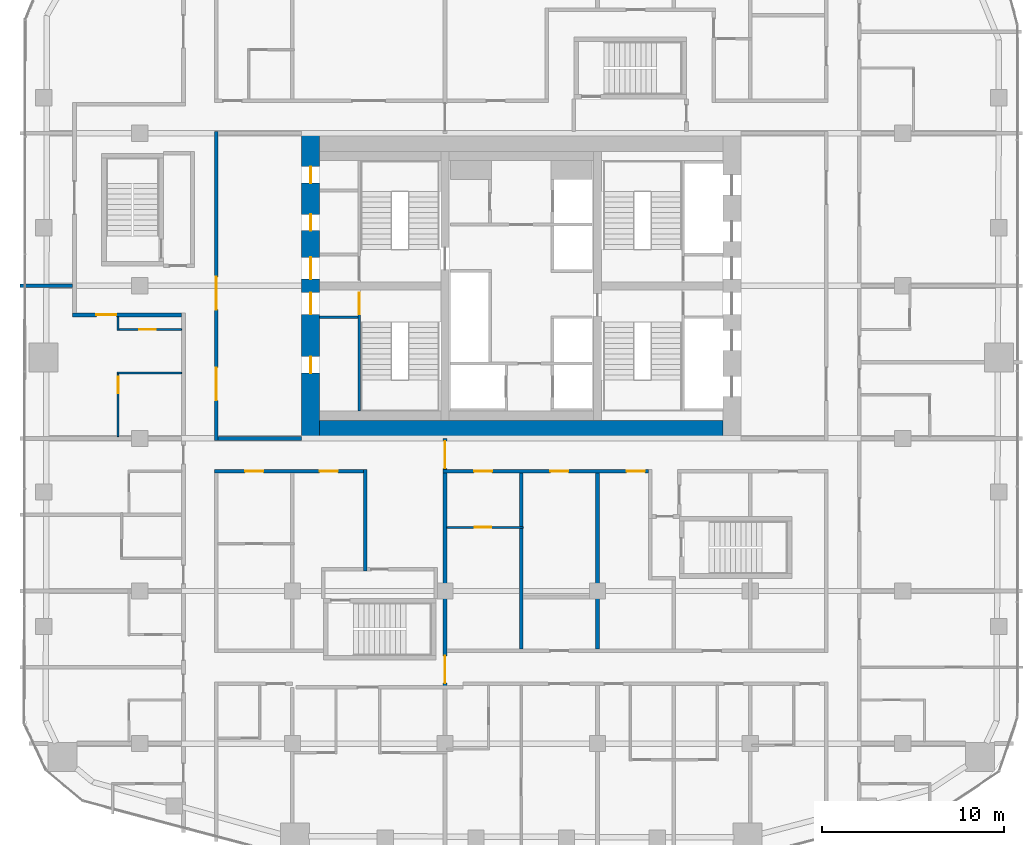
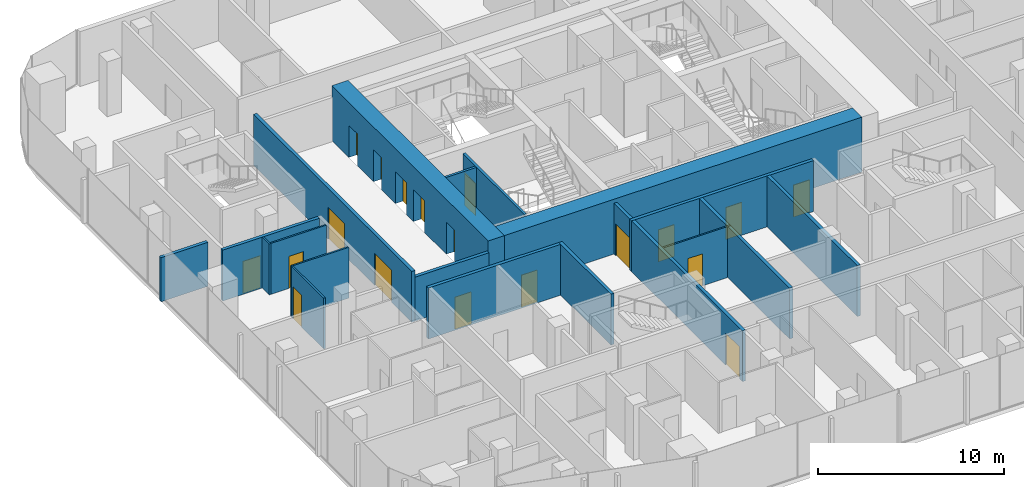
# One storey, part 15 of 23: 19 doors, 19 walls, 19 openings.
"""IFC4 building model written with IfcOpenShell, lengths in metres."""

from ifc_helpers import new_model, si_unit, direction, frame, frame_2d, origin, place, context, subcontext, project, spatial, rectangle, extrude, material, layer, layer_set, type_object, element, fill, save


model = new_model("IFC4")

# Units and contexts
model_context = context("Model", 3, precision=1e-05, world=origin(), true_north=direction((0.0, 1.0)))
body_context = subcontext(model_context, "Body", "Model", "MODEL_VIEW")
ifc_project = project(units=[si_unit("LENGTHUNIT", "METRE"), si_unit("AREAUNIT", "SQUARE_METRE"), si_unit("VOLUMEUNIT", "CUBIC_METRE"), si_unit("PLANEANGLEUNIT", "RADIAN"), si_unit("MASSUNIT", "GRAM", prefix="KILO")], contexts=[model_context])

# Site, building, storey
site_placement = place(None, origin())
site = spatial("IfcSite", under=ifc_project, at=site_placement, CompositionType="ELEMENT")
building_placement = place(site_placement, origin())
building = spatial("IfcBuilding", under=site, at=building_placement, Name="Marenta Gate Hotel Tower", CompositionType="ELEMENT")
storey_placement = place(building_placement, frame((0.0, 0.0, 148.10009765625)))
storey = spatial("IfcBuildingStorey", under=building, at=storey_placement, Name="L34", CompositionType="ELEMENT", Elevation=148.10009765625)

# Wall, openings, doors
ifc_material_1 = material(Name="Concrete blockwork", Category="masonry")
ifc_layer_1 = layer(ifc_material_1, 0.199951171875)
ifc_layer_set_1 = layer_set([ifc_layer_1], Name="Concrete blockwork")
wall_type_1 = type_object("IfcWallType", Name="Compartment wall 200 REI 180", PredefinedType="PARTITIONING", material=ifc_layer_set_1)
wall_1_placement = place(storey_placement, frame((-4.199951171875, -13.800048828125, 0.0), z_axis=(0.0, 0.0, 1.0), x_axis=(0.0, 1.0, 0.0)))
wall_1 = element("IfcWall", 1, at=wall_1_placement, inside=storey, type_object=wall_type_1, Name="L34-PTN-W075", PredefinedType="PARTITIONING", context=body_context, shape_type="SweptSolid", body=[
    extrude(rectangle(XDim=13.800048828125, YDim=0.199951171875, at=frame_2d((6.89990234375, 0.0))), origin(), (0.0, 0.0, 1.0), 3.33984375),
])
opening_1_placement = place(wall_1_placement, frame((12.14990234375, 0.0, 0.0)))
opening_1 = element("IfcOpeningElement", 2, at=opening_1_placement, cuts=wall_1, Name="Opening G13-FD2", PredefinedType="OPENING", context=body_context, shape_type="SweptSolid", body=[
    extrude(rectangle(XDim=1.5, YDim=2.10009765625, at=frame_2d((0.75, 1.050048828125))), frame((0.0, 0.10009765625, 0.0), z_axis=(0.0, -1.0, 0.0), x_axis=(1.0, 0.0, 0.0)), (0.0, 0.0, 1.0), 0.199951171875),
])
opening_2_placement = place(wall_1_placement, frame((0.324951171875, 0.0, 0.0)))
opening_2 = element("IfcOpeningElement", 3, at=opening_2_placement, cuts=wall_1, Name="Opening G13-FD3", PredefinedType="OPENING", context=body_context, shape_type="SweptSolid", body=[
    extrude(rectangle(XDim=1.5, YDim=2.10009765625, at=frame_2d((0.75, 1.050048828125))), frame((0.0, 0.10009765625, 0.0), z_axis=(0.0, -1.0, 0.0), x_axis=(1.0, 0.0, 0.0)), (0.0, 0.0, 1.0), 0.199951171875),
])
ifc_material_2 = material(Name="Hollow steel door set", Category="steel")
door_type_1 = type_object("IfcDoorType", Name="Compartment fire door 1500x2100 EI 60", OperationType="DOUBLE_DOOR_DOUBLE_SWING", PredefinedType="DOOR", material=ifc_material_2)
door_1_placement = place(opening_1_placement, origin())
door_1 = element("IfcDoor", 4, at=door_1_placement, inside=storey, type_object=door_type_1, Name="L34-PD-FD02", OperationType="DOUBLE_DOOR_DOUBLE_SWING", OverallHeight=2.10009765625, OverallWidth=1.5, PredefinedType="DOOR", context=body_context, shape_type="SweptSolid", body=[
    extrude(rectangle(XDim=1.5, YDim=2.10009765625, at=frame_2d((0.75, 1.050048828125))), frame((0.0, 0.02490234375, 0.0), z_axis=(0.0, -1.0, 0.0), x_axis=(1.0, 0.0, 0.0)), (0.0, 0.0, 1.0), 0.050048828125),
])
fill(opening_1, door_1)
door_2_placement = place(opening_2_placement, origin())
door_2 = element("IfcDoor", 5, at=door_2_placement, inside=storey, type_object=door_type_1, Name="L34-PD-FD03", OperationType="DOUBLE_DOOR_DOUBLE_SWING", OverallHeight=2.10009765625, OverallWidth=1.5, PredefinedType="DOOR", context=body_context, shape_type="SweptSolid", body=[
    extrude(rectangle(XDim=1.5, YDim=2.10009765625, at=frame_2d((0.75, 1.050048828125))), frame((0.0, 0.02490234375, 0.0), z_axis=(0.0, -1.0, 0.0), x_axis=(1.0, 0.0, 0.0)), (0.0, 0.0, 1.0), 0.050048828125),
])
fill(opening_2, door_2)

ifc_material_3 = material(Name="Concrete blockwork", Category="masonry")
ifc_layer_2 = layer(ifc_material_3, 0.199951171875)
ifc_layer_set_2 = layer_set([ifc_layer_2], Name="Concrete blockwork")
wall_type_2 = type_object("IfcWallType", Name="Core boundary wall 200 REI 180", PredefinedType="PARTITIONING", material=ifc_layer_set_2)
wall_2_placement = place(storey_placement, frame((-16.800048828125, -0.10009765625, 0.0), z_axis=(0.0, 0.0, 1.0), x_axis=(0.0, 1.0, 0.0)))
wall_2 = element("IfcWall", 6, at=wall_2_placement, inside=storey, type_object=wall_type_2, Name="L34-CP-BW-W", PredefinedType="PARTITIONING", context=body_context, shape_type="SweptSolid", body=[
    extrude(rectangle(XDim=17.0, YDim=0.199951171875, at=frame_2d((8.5, 0.0))), origin(), (0.0, 0.0, 1.0), 3.33984375),
])
opening_3_placement = place(wall_2_placement, frame((2.199951171875, 0.0, 0.0)))
opening_3 = element("IfcOpeningElement", 7, at=opening_3_placement, cuts=wall_2, Name="Opening ED-Wa-B", PredefinedType="OPENING", context=body_context, shape_type="SweptSolid", body=[
    extrude(rectangle(XDim=1.800048828125, YDim=2.10009765625, at=frame_2d((0.89990234375, 1.050048828125))), frame((0.0, 0.10009765625, 0.0), z_axis=(0.0, -1.0, 0.0), x_axis=(1.0, 0.0, 0.0)), (0.0, 0.0, 1.0), 0.199951171875),
])
opening_4_placement = place(wall_2_placement, frame((7.199951171875, 0.0, 0.0)))
opening_4 = element("IfcOpeningElement", 8, at=opening_4_placement, cuts=wall_2, Name="Opening ED-Wb-B", PredefinedType="OPENING", context=body_context, shape_type="SweptSolid", body=[
    extrude(rectangle(XDim=1.800048828125, YDim=2.10009765625, at=frame_2d((0.89990234375, 1.050048828125))), frame((0.0, 0.10009765625, 0.0), z_axis=(0.0, -1.0, 0.0), x_axis=(1.0, 0.0, 0.0)), (0.0, 0.0, 1.0), 0.199951171875),
])
ifc_material_4 = material(Name="Steel", Category="steel")
door_type_2 = type_object("IfcDoorType", Name="Core lobby entrance door 1800x2100 EI 60", OperationType="DOUBLE_DOOR_SINGLE_SWING", PredefinedType="DOOR", material=ifc_material_4)
door_3_placement = place(opening_3_placement, origin())
door_3 = element("IfcDoor", 9, at=door_3_placement, inside=storey, type_object=door_type_2, Name="ED-Wa-B", OperationType="DOUBLE_DOOR_SINGLE_SWING", OverallHeight=2.10009765625, OverallWidth=1.800048828125, PredefinedType="DOOR", context=body_context, shape_type="SweptSolid", body=[
    extrude(rectangle(XDim=1.800048828125, YDim=2.10009765625, at=frame_2d((0.89990234375, 1.050048828125))), frame((0.0, 0.02490234375, 0.0), z_axis=(0.0, -1.0, 0.0), x_axis=(1.0, 0.0, 0.0)), (0.0, 0.0, 1.0), 0.050048828125),
])
fill(opening_3, door_3)
door_4_placement = place(opening_4_placement, origin())
door_4 = element("IfcDoor", 10, at=door_4_placement, inside=storey, type_object=door_type_2, Name="ED-Wb-B", OperationType="DOUBLE_DOOR_SINGLE_SWING", OverallHeight=2.10009765625, OverallWidth=1.800048828125, PredefinedType="DOOR", context=body_context, shape_type="SweptSolid", body=[
    extrude(rectangle(XDim=1.800048828125, YDim=2.10009765625, at=frame_2d((0.89990234375, 1.050048828125))), frame((0.0, 0.02490234375, 0.0), z_axis=(0.0, -1.0, 0.0), x_axis=(1.0, 0.0, 0.0)), (0.0, 0.0, 1.0), 0.050048828125),
])
fill(opening_4, door_4)

# Walls
wall_3_placement = place(storey_placement, frame((-16.699951171875, 0.0, 0.0), z_axis=(0.0, 0.0, 1.0), x_axis=(1.0, 0.0, 0.0)))
element("IfcWall", 11, at=wall_3_placement, inside=storey, type_object=wall_type_2, Name="L34-CP-EW-WS", PredefinedType="PARTITIONING", context=body_context, shape_type="SweptSolid", body=[
    extrude(rectangle(XDim=4.599853515625, YDim=0.199951171875, at=frame_2d((2.2998046875, 0.0))), origin(), (0.0, 0.0, 1.0), 2.889892578125),
])
ifc_material_5 = material(Name="Concrete blockwork", Category="masonry")
ifc_layer_3 = layer(ifc_material_5, 0.14990234375)
ifc_layer_set_3 = layer_set([ifc_layer_3], Name="Concrete blockwork")
wall_type_3 = type_object("IfcWallType", Name="Core room partition 150 REI 180", PredefinedType="PARTITIONING", material=ifc_layer_set_3)
wall_4_placement = place(storey_placement, frame((-11.10009765625, 6.675048828125, 0.0), z_axis=(0.0, 0.0, 1.0), x_axis=(1.0, 0.0, 0.0)))
element("IfcWall", 12, at=wall_4_placement, inside=storey, type_object=wall_type_3, Name="L34-CP-SW-WS-2", PredefinedType="PARTITIONING", context=body_context, shape_type="SweptSolid", body=[
    extrude(rectangle(XDim=2.10009765625, YDim=0.14990234375, at=frame_2d((1.050048828125, 0.0))), origin(), (0.0, 0.0, 1.0), 3.33984375),
])

# Wall, opening, door
ifc_material_6 = material(Name="Concrete C40", Category="concrete")
ifc_layer_4 = layer(ifc_material_6, 0.14990234375)
ifc_layer_set_4 = layer_set([ifc_layer_4], Name="Concrete C40")
wall_type_4 = type_object("IfcWallType", Name="Core stair enclosure wall 150 REI 180", PredefinedType="SHEAR", material=ifc_layer_set_4)
wall_5_placement = place(storey_placement, frame((-8.925048828125, 1.5, 0.0), z_axis=(0.0, 0.0, 1.0), x_axis=(0.0, 1.0, 0.0)))
wall_5 = element("IfcWall", 13, at=wall_5_placement, inside=storey, type_object=wall_type_4, Name="L34-SHF-SW-WS-3", PredefinedType="SHEAR", context=body_context, shape_type="SweptSolid", body=[
    extrude(rectangle(XDim=6.60009765625, YDim=0.14990234375, at=frame_2d((3.300048828125, 0.0))), origin(), (0.0, 0.0, 1.0), 3.33984375),
])
opening_5_placement = place(wall_5_placement, frame((5.324951171875, 0.0, 0.0)))
opening_5 = element("IfcOpeningElement", 14, at=opening_5_placement, cuts=wall_5, Name="Opening SD-WS", PredefinedType="OPENING", context=body_context, shape_type="SweptSolid", body=[
    extrude(rectangle(XDim=1.199951171875, YDim=2.10009765625, at=frame_2d((0.60009765625, 1.050048828125))), frame((0.0, 0.074951171875, 0.0), z_axis=(0.0, -1.0, 0.0), x_axis=(1.0, 0.0, 0.0)), (0.0, 0.0, 1.0), 0.14990234375),
])
ifc_material_7 = material(Name="Steel", Category="steel")
door_type_3 = type_object("IfcDoorType", Name="Core stair door 1200x2100 FD60", OperationType="SINGLE_SWING_LEFT", PredefinedType="DOOR", material=ifc_material_7)
door_5_placement = place(opening_5_placement, origin())
door_5 = element("IfcDoor", 15, at=door_5_placement, inside=storey, type_object=door_type_3, Name="SD-WS", OperationType="SINGLE_SWING_LEFT", OverallHeight=2.10009765625, OverallWidth=1.199951171875, PredefinedType="DOOR", context=body_context, shape_type="SweptSolid", body=[
    extrude(rectangle(XDim=1.199951171875, YDim=2.10009765625, at=frame_2d((0.60009765625, 1.050048828125))), frame((0.0, 0.02490234375, 0.0), z_axis=(0.0, -1.0, 0.0), x_axis=(1.0, 0.0, 0.0)), (0.0, 0.0, 1.0), 0.050048828125),
])
fill(opening_5, door_5)

# Wall, openings, doors
ifc_material_8 = material(Name="Concrete C70", Category="concrete")
ifc_layer_5 = layer(ifc_material_8, 1.0)
ifc_layer_set_5 = layer_set([ifc_layer_5], Name="Concrete C70")
wall_type_5 = type_object("IfcWallType", Name="Core wall 1000 C70", PredefinedType="SHEAR", material=ifc_layer_set_5)
wall_6_placement = place(storey_placement, frame((-11.60009765625, 0.0, 0.0), z_axis=(0.0, 0.0, 1.0), x_axis=(0.0, 1.0, 0.0)))
wall_6 = element("IfcWall", 16, at=wall_6_placement, inside=storey, type_object=wall_type_5, Name="L34-CORE-W", PredefinedType="SHEAR", context=body_context, shape_type="SweptSolid", body=[
    extrude(rectangle(XDim=16.800048828125, YDim=1.0, at=frame_2d((8.39990234375, 0.0))), origin(), (0.0, 0.0, 1.0), 3.599853515625),
])
opening_6_placement = place(wall_6_placement, frame((3.60009765625, 0.0, 0.0)))
opening_6 = element("IfcOpeningElement", 17, at=opening_6_placement, cuts=wall_6, Name="Opening RD-WS-1", PredefinedType="OPENING", context=body_context, shape_type="SweptSolid", body=[
    extrude(rectangle(XDim=0.89990234375, YDim=2.10009765625, at=frame_2d((0.449951171875, 1.050048828125))), frame((0.0, 0.5, 0.0), z_axis=(0.0, -1.0, 0.0), x_axis=(1.0, 0.0, 0.0)), (0.0, 0.0, 1.0), 1.0),
])
opening_7_placement = place(wall_6_placement, frame((6.824951171875, 0.0, 0.0)))
opening_7 = element("IfcOpeningElement", 18, at=opening_7_placement, cuts=wall_6, Name="Opening PD-WS", PredefinedType="OPENING", context=body_context, shape_type="SweptSolid", body=[
    extrude(rectangle(XDim=1.199951171875, YDim=2.10009765625, at=frame_2d((0.60009765625, 1.050048828125))), frame((0.0, 0.5, 0.0), z_axis=(0.0, -1.0, 0.0), x_axis=(1.0, 0.0, 0.0)), (0.0, 0.0, 1.0), 1.0),
])
opening_8_placement = place(wall_6_placement, frame((14.0625, 0.0, 0.0)))
opening_8 = element("IfcOpeningElement", 19, at=opening_8_placement, cuts=wall_6, Name="Opening RD-WN-1", PredefinedType="OPENING", context=body_context, shape_type="SweptSolid", body=[
    extrude(rectangle(XDim=0.89990234375, YDim=2.10009765625, at=frame_2d((0.449951171875, 1.050048828125))), frame((0.0, 0.5, 0.0), z_axis=(0.0, -1.0, 0.0), x_axis=(1.0, 0.0, 0.0)), (0.0, 0.0, 1.0), 1.0),
])
opening_9_placement = place(wall_6_placement, frame((11.4375, 0.0, 0.0)))
opening_9 = element("IfcOpeningElement", 20, at=opening_9_placement, cuts=wall_6, Name="Opening RD-WN-2", PredefinedType="OPENING", context=body_context, shape_type="SweptSolid", body=[
    extrude(rectangle(XDim=0.89990234375, YDim=2.10009765625, at=frame_2d((0.449951171875, 1.050048828125))), frame((0.0, 0.5, 0.0), z_axis=(0.0, -1.0, 0.0), x_axis=(1.0, 0.0, 0.0)), (0.0, 0.0, 1.0), 1.0),
])
opening_10_placement = place(wall_6_placement, frame((8.77490234375, 0.0, 0.0)))
opening_10 = element("IfcOpeningElement", 21, at=opening_10_placement, cuts=wall_6, Name="Opening PD-WN", PredefinedType="OPENING", context=body_context, shape_type="SweptSolid", body=[
    extrude(rectangle(XDim=1.199951171875, YDim=2.10009765625, at=frame_2d((0.60009765625, 1.050048828125))), frame((0.0, 0.5, 0.0), z_axis=(0.0, -1.0, 0.0), x_axis=(1.0, 0.0, 0.0)), (0.0, 0.0, 1.0), 1.0),
])
ifc_material_9 = material(Name="Steel", Category="steel")
door_type_4 = type_object("IfcDoorType", Name="Core lobby door 1200x2100 FD60", OperationType="SINGLE_SWING_LEFT", PredefinedType="DOOR", material=ifc_material_9)
door_6_placement = place(opening_7_placement, origin())
door_6 = element("IfcDoor", 22, at=door_6_placement, inside=storey, type_object=door_type_4, Name="PD-WS", OperationType="SINGLE_SWING_LEFT", OverallHeight=2.10009765625, OverallWidth=1.199951171875, PredefinedType="DOOR", context=body_context, shape_type="SweptSolid", body=[
    extrude(rectangle(XDim=1.199951171875, YDim=2.10009765625, at=frame_2d((0.60009765625, 1.050048828125))), frame((0.0, 0.02490234375, 0.0), z_axis=(0.0, -1.0, 0.0), x_axis=(1.0, 0.0, 0.0)), (0.0, 0.0, 1.0), 0.050048828125),
])
fill(opening_7, door_6)
door_7_placement = place(opening_10_placement, origin())
door_7 = element("IfcDoor", 23, at=door_7_placement, inside=storey, type_object=door_type_4, Name="PD-WN", OperationType="SINGLE_SWING_LEFT", OverallHeight=2.10009765625, OverallWidth=1.199951171875, PredefinedType="DOOR", context=body_context, shape_type="SweptSolid", body=[
    extrude(rectangle(XDim=1.199951171875, YDim=2.10009765625, at=frame_2d((0.60009765625, 1.050048828125))), frame((0.0, 0.02490234375, 0.0), z_axis=(0.0, -1.0, 0.0), x_axis=(1.0, 0.0, 0.0)), (0.0, 0.0, 1.0), 0.050048828125),
])
fill(opening_10, door_7)
ifc_material_10 = material(Name="Steel", Category="steel")
door_type_5 = type_object("IfcDoorType", Name="Core service room door 900x2100 FD30S", OperationType="SINGLE_SWING_LEFT", PredefinedType="DOOR", material=ifc_material_10)
door_8_placement = place(opening_6_placement, origin())
door_8 = element("IfcDoor", 24, at=door_8_placement, inside=storey, type_object=door_type_5, Name="RD-WS-1", OperationType="SINGLE_SWING_LEFT", OverallHeight=2.10009765625, OverallWidth=0.89990234375, PredefinedType="DOOR", context=body_context, shape_type="SweptSolid", body=[
    extrude(rectangle(XDim=0.89990234375, YDim=2.10009765625, at=frame_2d((0.449951171875, 1.050048828125))), frame((0.0, 0.02490234375, 0.0), z_axis=(0.0, -1.0, 0.0), x_axis=(1.0, 0.0, 0.0)), (0.0, 0.0, 1.0), 0.050048828125),
])
fill(opening_6, door_8)
door_9_placement = place(opening_8_placement, origin())
door_9 = element("IfcDoor", 25, at=door_9_placement, inside=storey, type_object=door_type_5, Name="RD-WN-1", OperationType="SINGLE_SWING_LEFT", OverallHeight=2.10009765625, OverallWidth=0.89990234375, PredefinedType="DOOR", context=body_context, shape_type="SweptSolid", body=[
    extrude(rectangle(XDim=0.89990234375, YDim=2.10009765625, at=frame_2d((0.449951171875, 1.050048828125))), frame((0.0, 0.02490234375, 0.0), z_axis=(0.0, -1.0, 0.0), x_axis=(1.0, 0.0, 0.0)), (0.0, 0.0, 1.0), 0.050048828125),
])
fill(opening_8, door_9)
door_10_placement = place(opening_9_placement, origin())
door_10 = element("IfcDoor", 26, at=door_10_placement, inside=storey, type_object=door_type_5, Name="RD-WN-2", OperationType="SINGLE_SWING_LEFT", OverallHeight=2.10009765625, OverallWidth=0.89990234375, PredefinedType="DOOR", context=body_context, shape_type="SweptSolid", body=[
    extrude(rectangle(XDim=0.89990234375, YDim=2.10009765625, at=frame_2d((0.449951171875, 1.050048828125))), frame((0.0, 0.02490234375, 0.0), z_axis=(0.0, -1.0, 0.0), x_axis=(1.0, 0.0, 0.0)), (0.0, 0.0, 1.0), 0.050048828125),
])
fill(opening_9, door_10)

# Wall
wall_7_placement = place(storey_placement, frame((-11.10009765625, 0.5, 0.0), z_axis=(0.0, 0.0, 1.0), x_axis=(1.0, 0.0, 0.0)))
element("IfcWall", 27, at=wall_7_placement, inside=storey, type_object=wall_type_5, Name="L34-CORE-S", PredefinedType="SHEAR", context=body_context, shape_type="SweptSolid", body=[
    extrude(rectangle(XDim=22.2001953125, YDim=1.0, at=frame_2d((11.10009765625, 0.0))), origin(), (0.0, 0.0, 1.0), 3.599853515625),
])

# Wall, openings, doors
ifc_material_11 = material(Name="Concrete blockwork", Category="masonry")
ifc_layer_6 = layer(ifc_material_11, 0.199951171875)
ifc_layer_set_6 = layer_set([ifc_layer_6], Name="Concrete blockwork")
wall_type_6 = type_object("IfcWallType", Name="Room corridor wall 200 EI 120", PredefinedType="PARTITIONING", material=ifc_layer_set_6)
wall_8_placement = place(storey_placement, frame((-4.300048828125, -1.800048828125, 0.0), z_axis=(0.0, 0.0, 1.0), x_axis=(1.0, 0.0, 0.0)))
wall_8 = element("IfcWall", 28, at=wall_8_placement, inside=storey, type_object=wall_type_6, Name="L34-PTN-W063", PredefinedType="PARTITIONING", context=body_context, shape_type="SweptSolid", body=[
    extrude(rectangle(XDim=11.300048828125, YDim=0.199951171875, at=frame_2d((5.64990234375, 0.0))), origin(), (0.0, 0.0, 1.0), 3.33984375),
])
opening_11_placement = place(wall_8_placement, frame((1.699951171875, 0.0, 0.0)))
opening_11 = element("IfcOpeningElement", 29, at=opening_11_placement, cuts=wall_8, Name="Opening G13-04", PredefinedType="OPENING", context=body_context, shape_type="SweptSolid", body=[
    extrude(rectangle(XDim=1.0, YDim=2.10009765625, at=frame_2d((0.5, 1.050048828125))), frame((0.0, 0.10009765625, 0.0), z_axis=(0.0, -1.0, 0.0), x_axis=(1.0, 0.0, 0.0)), (0.0, 0.0, 1.0), 0.199951171875),
])
opening_12_placement = place(wall_8_placement, frame((10.10009765625, 0.0, 0.0)))
opening_12 = element("IfcOpeningElement", 30, at=opening_12_placement, cuts=wall_8, Name="Opening G13-06", PredefinedType="OPENING", context=body_context, shape_type="SweptSolid", body=[
    extrude(rectangle(XDim=1.0, YDim=2.10009765625, at=frame_2d((0.5, 1.050048828125))), frame((0.0, 0.10009765625, 0.0), z_axis=(0.0, -1.0, 0.0), x_axis=(1.0, 0.0, 0.0)), (0.0, 0.0, 1.0), 0.199951171875),
])
opening_13_placement = place(wall_8_placement, frame((5.89990234375, 0.0, 0.0)))
opening_13 = element("IfcOpeningElement", 31, at=opening_13_placement, cuts=wall_8, Name="Opening G13-68", PredefinedType="OPENING", context=body_context, shape_type="SweptSolid", body=[
    extrude(rectangle(XDim=1.0, YDim=2.10009765625, at=frame_2d((0.5, 1.050048828125))), frame((0.0, 0.10009765625, 0.0), z_axis=(0.0, -1.0, 0.0), x_axis=(1.0, 0.0, 0.0)), (0.0, 0.0, 1.0), 0.199951171875),
])
ifc_material_12 = material(Name="Timber door leaf", Category="wood")
door_type_6 = type_object("IfcDoorType", Name="Room amenity door 1000x2100 EI 60", OperationType="NOTDEFINED", PredefinedType="DOOR", material=ifc_material_12)
door_11_placement = place(opening_12_placement, origin())
door_11 = element("IfcDoor", 32, at=door_11_placement, inside=storey, type_object=door_type_6, Name="L34-PD-D006", OperationType="SINGLE_SWING_LEFT", OverallHeight=2.10009765625, OverallWidth=1.0, PredefinedType="DOOR", context=body_context, shape_type="SweptSolid", body=[
    extrude(rectangle(XDim=1.0, YDim=2.10009765625, at=frame_2d((0.5, 1.050048828125))), frame((0.0, 0.02490234375, 0.0), z_axis=(0.0, -1.0, 0.0), x_axis=(1.0, 0.0, 0.0)), (0.0, 0.0, 1.0), 0.050048828125),
])
fill(opening_12, door_11)
door_12_placement = place(opening_13_placement, origin())
door_12 = element("IfcDoor", 33, at=door_12_placement, inside=storey, type_object=door_type_6, Name="L34-PD-D068", OperationType="SINGLE_SWING_RIGHT", OverallHeight=2.10009765625, OverallWidth=1.0, PredefinedType="DOOR", context=body_context, shape_type="SweptSolid", body=[
    extrude(rectangle(XDim=1.0, YDim=2.10009765625, at=frame_2d((0.5, 1.050048828125))), frame((0.0, 0.02490234375, 0.0), z_axis=(0.0, -1.0, 0.0), x_axis=(1.0, 0.0, 0.0)), (0.0, 0.0, 1.0), 0.050048828125),
])
fill(opening_13, door_12)
ifc_material_13 = material(Name="Hollow steel door set", Category="steel")
door_type_7 = type_object("IfcDoorType", Name="Room service door 1000x2100 EI 60", OperationType="NOTDEFINED", PredefinedType="DOOR", material=ifc_material_13)
door_13_placement = place(opening_11_placement, origin())
door_13 = element("IfcDoor", 34, at=door_13_placement, inside=storey, type_object=door_type_7, Name="L34-PD-D004", OperationType="SINGLE_SWING_RIGHT", OverallHeight=2.10009765625, OverallWidth=1.0, PredefinedType="DOOR", context=body_context, shape_type="SweptSolid", body=[
    extrude(rectangle(XDim=1.0, YDim=2.10009765625, at=frame_2d((0.5, 1.050048828125))), frame((0.0, 0.02490234375, 0.0), z_axis=(0.0, -1.0, 0.0), x_axis=(1.0, 0.0, 0.0)), (0.0, 0.0, 1.0), 0.050048828125),
])
fill(opening_11, door_13)

ifc_material_14 = material(Name="Gypsum board on steel stud", Category="steel")
ifc_layer_7 = layer(ifc_material_14, 0.199951171875)
ifc_layer_set_7 = layer_set([ifc_layer_7], Name="Gypsum board on steel stud")
wall_type_7 = type_object("IfcWallType", Name="Room corridor wall 200 EI 60", PredefinedType="PARTITIONING", material=ifc_layer_set_7)
wall_9_placement = place(storey_placement, frame((-16.89990234375, -1.800048828125, 0.0), z_axis=(0.0, 0.0, 1.0), x_axis=(1.0, 0.0, 0.0)))
wall_9 = element("IfcWall", 35, at=wall_9_placement, inside=storey, type_object=wall_type_7, Name="L34-PTN-W062", PredefinedType="PARTITIONING", context=body_context, shape_type="SweptSolid", body=[
    extrude(rectangle(XDim=8.199951171875, YDim=0.199951171875, at=frame_2d((4.10009765625, 0.0))), origin(), (0.0, 0.0, 1.0), 3.33984375),
])
opening_14_placement = place(wall_9_placement, frame((1.699951171875, 0.0, 0.0)))
opening_14 = element("IfcOpeningElement", 36, at=opening_14_placement, cuts=wall_9, Name="Opening G13-01", PredefinedType="OPENING", context=body_context, shape_type="SweptSolid", body=[
    extrude(rectangle(XDim=1.0, YDim=2.10009765625, at=frame_2d((0.5, 1.050048828125))), frame((0.0, 0.10009765625, 0.0), z_axis=(0.0, -1.0, 0.0), x_axis=(1.0, 0.0, 0.0)), (0.0, 0.0, 1.0), 0.199951171875),
])
opening_15_placement = place(wall_9_placement, frame((5.800048828125, 0.0, 0.0)))
opening_15 = element("IfcOpeningElement", 37, at=opening_15_placement, cuts=wall_9, Name="Opening G13-03", PredefinedType="OPENING", context=body_context, shape_type="SweptSolid", body=[
    extrude(rectangle(XDim=1.0, YDim=2.10009765625, at=frame_2d((0.5, 1.050048828125))), frame((0.0, 0.10009765625, 0.0), z_axis=(0.0, -1.0, 0.0), x_axis=(1.0, 0.0, 0.0)), (0.0, 0.0, 1.0), 0.199951171875),
])
ifc_material_15 = material(Name="Timber door leaf", Category="wood")
door_type_8 = type_object("IfcDoorType", Name="Room amenity door 1000x2100 EI 30", OperationType="NOTDEFINED", PredefinedType="DOOR", material=ifc_material_15)
door_14_placement = place(opening_15_placement, origin())
door_14 = element("IfcDoor", 38, at=door_14_placement, inside=storey, type_object=door_type_8, Name="L34-PD-D003", OperationType="SINGLE_SWING_LEFT", OverallHeight=2.10009765625, OverallWidth=1.0, PredefinedType="DOOR", context=body_context, shape_type="SweptSolid", body=[
    extrude(rectangle(XDim=1.0, YDim=2.10009765625, at=frame_2d((0.5, 1.050048828125))), frame((0.0, 0.02490234375, 0.0), z_axis=(0.0, -1.0, 0.0), x_axis=(1.0, 0.0, 0.0)), (0.0, 0.0, 1.0), 0.050048828125),
])
fill(opening_15, door_14)
ifc_material_16 = material(Name="Hollow steel door set", Category="steel")
door_type_9 = type_object("IfcDoorType", Name="Room service door 1000x2100 EI 30", OperationType="NOTDEFINED", PredefinedType="DOOR", material=ifc_material_16)
door_15_placement = place(opening_14_placement, origin())
door_15 = element("IfcDoor", 39, at=door_15_placement, inside=storey, type_object=door_type_9, Name="L34-PD-D001", OperationType="SINGLE_SWING_LEFT", OverallHeight=2.10009765625, OverallWidth=1.0, PredefinedType="DOOR", context=body_context, shape_type="SweptSolid", body=[
    extrude(rectangle(XDim=1.0, YDim=2.10009765625, at=frame_2d((0.5, 1.050048828125))), frame((0.0, 0.02490234375, 0.0), z_axis=(0.0, -1.0, 0.0), x_axis=(1.0, 0.0, 0.0)), (0.0, 0.0, 1.0), 0.050048828125),
])
fill(opening_14, door_15)

# Wall, opening, door
wall_10_placement = place(storey_placement, frame((-24.699951171875, 6.800048828125, 0.0), z_axis=(0.0, 0.0, 1.0), x_axis=(1.0, 0.0, 0.0)))
wall_10 = element("IfcWall", 40, at=wall_10_placement, inside=storey, type_object=wall_type_7, Name="L34-PTN-W080", PredefinedType="PARTITIONING", context=body_context, shape_type="SweptSolid", body=[
    extrude(rectangle(XDim=6.0, YDim=0.199951171875, at=frame_2d((3.0, 0.0))), origin(), (0.0, 0.0, 1.0), 3.33984375),
])
opening_16_placement = place(wall_10_placement, frame((1.300048828125, 0.0, 0.0)))
opening_16 = element("IfcOpeningElement", 41, at=opening_16_placement, cuts=wall_10, Name="Opening G13-53", PredefinedType="OPENING", context=body_context, shape_type="SweptSolid", body=[
    extrude(rectangle(XDim=1.10009765625, YDim=2.10009765625, at=frame_2d((0.550048828125, 1.050048828125))), frame((0.0, 0.10009765625, 0.0), z_axis=(0.0, -1.0, 0.0), x_axis=(1.0, 0.0, 0.0)), (0.0, 0.0, 1.0), 0.199951171875),
])
ifc_material_17 = material(Name="Timber door leaf", Category="wood")
door_type_10 = type_object("IfcDoorType", Name="Guest room door 1100x2100 EI 30", OperationType="NOTDEFINED", PredefinedType="DOOR", material=ifc_material_17)
door_16_placement = place(opening_16_placement, origin())
door_16 = element("IfcDoor", 42, at=door_16_placement, inside=storey, type_object=door_type_10, Name="L34-PD-D053", OperationType="SINGLE_SWING_LEFT", OverallHeight=2.10009765625, OverallWidth=1.10009765625, PredefinedType="DOOR", context=body_context, shape_type="SweptSolid", body=[
    extrude(rectangle(XDim=1.10009765625, YDim=2.10009765625, at=frame_2d((0.550048828125, 1.050048828125))), frame((0.0, 0.02490234375, 0.0), z_axis=(0.0, -1.0, 0.0), x_axis=(1.0, 0.0, 0.0)), (0.0, 0.0, 1.0), 0.050048828125),
])
fill(opening_16, door_16)

# Wall
wall_11_placement = place(storey_placement, frame((-8.60009765625, -7.300048828125, 0.0), z_axis=(0.0, 0.0, 1.0), x_axis=(0.0, 1.0, 0.0)))
element("IfcWall", 43, at=wall_11_placement, inside=storey, type_object=wall_type_7, Name="L34-PTN-W084", PredefinedType="PARTITIONING", context=body_context, shape_type="SweptSolid", body=[
    extrude(rectangle(XDim=5.60009765625, YDim=0.199951171875, at=frame_2d((2.800048828125, 0.0))), origin(), (0.0, 0.0, 1.0), 3.33984375),
])

# Wall, opening, door
ifc_material_18 = material(Name="Gypsum board on steel stud", Category="steel")
ifc_layer_8 = layer(ifc_material_18, 0.10009765625)
ifc_layer_set_8 = layer_set([ifc_layer_8], Name="Gypsum board on steel stud")
wall_type_8 = type_object("IfcWallType", Name="Room partition 100", PredefinedType="PARTITIONING", material=ifc_layer_set_8)
wall_12_placement = place(storey_placement, frame((-4.10009765625, -4.89990234375, 0.0), z_axis=(0.0, 0.0, 1.0), x_axis=(1.0, 0.0, 0.0)))
wall_12 = element("IfcWall", 44, at=wall_12_placement, inside=storey, type_object=wall_type_8, Name="L34-PTN-W054", PredefinedType="PARTITIONING", context=body_context, shape_type="SweptSolid", body=[
    extrude(rectangle(XDim=4.2001953125, YDim=0.10009765625, at=frame_2d((2.10009765625, 0.0))), origin(), (0.0, 0.0, 1.0), 3.33984375),
])
opening_17_placement = place(wall_12_placement, frame((1.550048828125, 0.0, 0.0)))
opening_17 = element("IfcOpeningElement", 45, at=opening_17_placement, cuts=wall_12, Name="Opening G13-05", PredefinedType="OPENING", context=body_context, shape_type="SweptSolid", body=[
    extrude(rectangle(XDim=0.89990234375, YDim=2.10009765625, at=frame_2d((0.449951171875, 1.050048828125))), frame((0.0, 0.050048828125, 0.0), z_axis=(0.0, -1.0, 0.0), x_axis=(1.0, 0.0, 0.0)), (0.0, 0.0, 1.0), 0.10009765625),
])
ifc_material_19 = material(Name="Timber door leaf", Category="wood")
door_type_11 = type_object("IfcDoorType", Name="Room inner door 900x2100", OperationType="NOTDEFINED", PredefinedType="DOOR", material=ifc_material_19)
door_17_placement = place(opening_17_placement, origin())
door_17 = element("IfcDoor", 46, at=door_17_placement, inside=storey, type_object=door_type_11, Name="L34-PD-D005", OperationType="SINGLE_SWING_LEFT", OverallHeight=2.10009765625, OverallWidth=0.89990234375, PredefinedType="DOOR", context=body_context, shape_type="SweptSolid", body=[
    extrude(rectangle(XDim=0.89990234375, YDim=2.10009765625, at=frame_2d((0.449951171875, 1.050048828125))), frame((0.0, 0.02490234375, 0.0), z_axis=(0.0, -1.0, 0.0), x_axis=(1.0, 0.0, 0.0)), (0.0, 0.0, 1.0), 0.050048828125),
])
fill(opening_17, door_17)

# Wall
wall_13_placement = place(storey_placement, frame((-22.25, 3.60009765625, 0.0), z_axis=(0.0, 0.0, 1.0), x_axis=(1.0, 0.0, 0.0)))
element("IfcWall", 47, at=wall_13_placement, inside=storey, type_object=wall_type_8, Name="L34-PTN-W072", PredefinedType="PARTITIONING", context=body_context, shape_type="SweptSolid", body=[
    extrude(rectangle(XDim=3.550048828125, YDim=0.10009765625, at=frame_2d((1.77490234375, 0.0))), origin(), (0.0, 0.0, 1.0), 3.33984375),
])

# Wall, opening, door
wall_14_placement = place(storey_placement, frame((-22.14990234375, 6.0, 0.0), z_axis=(0.0, 0.0, 1.0), x_axis=(1.0, 0.0, 0.0)))
wall_14 = element("IfcWall", 48, at=wall_14_placement, inside=storey, type_object=wall_type_8, Name="L34-PTN-W078", PredefinedType="PARTITIONING", context=body_context, shape_type="SweptSolid", body=[
    extrude(rectangle(XDim=3.449951171875, YDim=0.10009765625, at=frame_2d((1.72509765625, 0.0))), origin(), (0.0, 0.0, 1.0), 3.33984375),
])
opening_18_placement = place(wall_14_placement, frame((1.1201171875, 0.0, 0.0)))
opening_18 = element("IfcOpeningElement", 49, at=opening_18_placement, cuts=wall_14, Name="Opening G13-55", PredefinedType="OPENING", context=body_context, shape_type="SweptSolid", body=[
    extrude(rectangle(XDim=0.89990234375, YDim=2.10009765625, at=frame_2d((0.449951171875, 1.050048828125))), frame((0.0, 0.050048828125, 0.0), z_axis=(0.0, -1.0, 0.0), x_axis=(1.0, 0.0, 0.0)), (0.0, 0.0, 1.0), 0.10009765625),
])
door_18_placement = place(opening_18_placement, origin())
door_18 = element("IfcDoor", 50, at=door_18_placement, inside=storey, type_object=door_type_11, Name="L34-PD-D055", OperationType="SINGLE_SWING_RIGHT", OverallHeight=2.10009765625, OverallWidth=0.89990234375, PredefinedType="DOOR", context=body_context, shape_type="SweptSolid", body=[
    extrude(rectangle(XDim=0.89990234375, YDim=2.10009765625, at=frame_2d((0.449951171875, 1.050048828125))), frame((0.0, 0.02490234375, 0.0), z_axis=(0.0, -1.0, 0.0), x_axis=(1.0, 0.0, 0.0)), (0.0, 0.0, 1.0), 0.050048828125),
])
fill(opening_18, door_18)

wall_15_placement = place(storey_placement, frame((-22.199951171875, 0.10009765625, 0.0), z_axis=(0.0, 0.0, 1.0), x_axis=(0.0, 1.0, 0.0)))
wall_15 = element("IfcWall", 51, at=wall_15_placement, inside=storey, type_object=wall_type_8, Name="L34-PTN-W112", PredefinedType="PARTITIONING", context=body_context, shape_type="SweptSolid", body=[
    extrude(rectangle(XDim=3.449951171875, YDim=0.10009765625, at=frame_2d((1.72509765625, 0.0))), origin(), (0.0, 0.0, 1.0), 3.33984375),
])
opening_19_placement = place(wall_15_placement, frame((2.39990234375, 0.0, 0.0)))
opening_19 = element("IfcOpeningElement", 52, at=opening_19_placement, cuts=wall_15, Name="Opening G13-54", PredefinedType="OPENING", context=body_context, shape_type="SweptSolid", body=[
    extrude(rectangle(XDim=0.89990234375, YDim=2.10009765625, at=frame_2d((0.449951171875, 1.050048828125))), frame((0.0, 0.050048828125, 0.0), z_axis=(0.0, -1.0, 0.0), x_axis=(1.0, 0.0, 0.0)), (0.0, 0.0, 1.0), 0.10009765625),
])
ifc_material_20 = material(Name="Timber door leaf", Category="wood")
door_type_12 = type_object("IfcDoorType", Name="Guest bathroom door 900x2100", OperationType="NOTDEFINED", PredefinedType="DOOR", material=ifc_material_20)
door_19_placement = place(opening_19_placement, origin())
door_19 = element("IfcDoor", 53, at=door_19_placement, inside=storey, type_object=door_type_12, Name="L34-PD-D054", OperationType="SINGLE_SWING_LEFT", OverallHeight=2.10009765625, OverallWidth=0.89990234375, PredefinedType="DOOR", context=body_context, shape_type="SweptSolid", body=[
    extrude(rectangle(XDim=0.89990234375, YDim=2.10009765625, at=frame_2d((0.449951171875, 1.050048828125))), frame((0.0, 0.02490234375, 0.0), z_axis=(0.0, -1.0, 0.0), x_axis=(1.0, 0.0, 0.0)), (0.0, 0.0, 1.0), 0.050048828125),
])
fill(opening_19, door_19)

# Walls
wall_16_placement = place(storey_placement, frame((-22.199951171875, 5.949951171875, 0.0), z_axis=(0.0, 0.0, 1.0), x_axis=(0.0, 1.0, 0.0)))
element("IfcWall", 54, at=wall_16_placement, inside=storey, type_object=wall_type_8, Name="L34-PTN-W113", PredefinedType="PARTITIONING", context=body_context, shape_type="SweptSolid", body=[
    extrude(rectangle(XDim=0.75, YDim=0.10009765625, at=frame_2d((0.375, 0.0))), origin(), (0.0, 0.0, 1.0), 3.33984375),
])
ifc_material_21 = material(Name="Concrete blockwork", Category="masonry")
ifc_layer_9 = layer(ifc_material_21, 0.199951171875)
ifc_layer_set_9 = layer_set([ifc_layer_9], Name="Concrete blockwork")
wall_type_9 = type_object("IfcWallType", Name="Room party wall 200 EI 120", PredefinedType="PARTITIONING", material=ifc_layer_set_9)
wall_17_placement = place(storey_placement, frame((0.0, -11.60009765625, 0.0), z_axis=(0.0, 0.0, 1.0), x_axis=(0.0, 1.0, 0.0)))
element("IfcWall", 55, at=wall_17_placement, inside=storey, type_object=wall_type_9, Name="L34-PTN-W067", PredefinedType="PARTITIONING", context=body_context, shape_type="SweptSolid", body=[
    extrude(rectangle(XDim=9.7001953125, YDim=0.199951171875, at=frame_2d((4.85009765625, 0.0))), origin(), (0.0, 0.0, 1.0), 3.33984375),
])
ifc_material_22 = material(Name="Gypsum board on steel stud", Category="steel")
ifc_layer_10 = layer(ifc_material_22, 0.199951171875)
ifc_layer_set_10 = layer_set([ifc_layer_10], Name="Gypsum board on steel stud")
wall_type_10 = type_object("IfcWallType", Name="Room party wall 200 EI 60", PredefinedType="PARTITIONING", material=ifc_layer_set_10)
wall_18_placement = place(storey_placement, frame((4.199951171875, -11.60009765625, 0.0), z_axis=(0.0, 0.0, 1.0), x_axis=(0.0, 1.0, 0.0)))
element("IfcWall", 56, at=wall_18_placement, inside=storey, type_object=wall_type_10, Name="L34-PTN-W057", PredefinedType="PARTITIONING", context=body_context, shape_type="SweptSolid", body=[
    extrude(rectangle(XDim=9.7001953125, YDim=0.199951171875, at=frame_2d((4.85009765625, 0.0))), origin(), (0.0, 0.0, 1.0), 3.33984375),
])
wall_19_placement = place(storey_placement, frame((-27.60009765625, 8.39990234375, 0.0), z_axis=(0.0, 0.0, 1.0), x_axis=(1.0, 0.0, 0.0)))
element("IfcWall", 57, at=wall_19_placement, inside=storey, type_object=wall_type_10, Name="L34-PTN-W082", PredefinedType="PARTITIONING", context=body_context, shape_type="SweptSolid", body=[
    extrude(rectangle(XDim=2.900146484375, YDim=0.199951171875, at=frame_2d((1.4501953125, 0.0))), origin(), (0.0, 0.0, 1.0), 2.889892578125),
])

save(model, "model.ifc")
